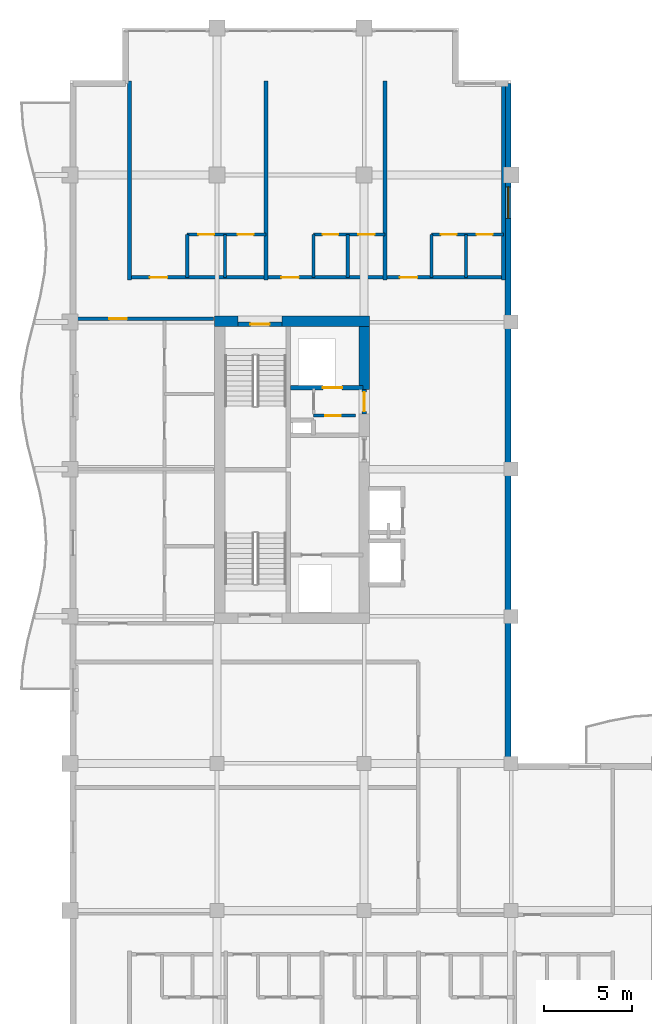
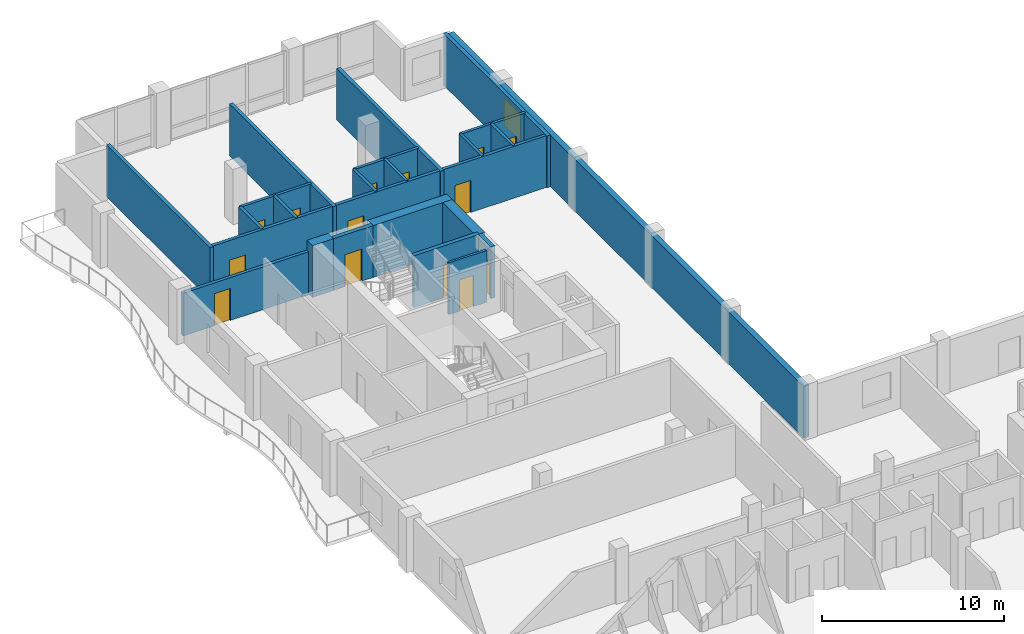
# One storey, part 10 of 15: 23 walls, 14 doors, 1 window, 15 openings.
"""IFC4 building model written with IfcOpenShell, lengths in metres."""

from ifc_helpers import new_model, si_unit, direction, frame, frame_2d, origin, place, context, subcontext, project, spatial, rectangle, extrude, material, layer, layer_set, type_object, element, fill, save


model = new_model("IFC4")

# Units and contexts
model_context = context("Model", 3, precision=1e-05, world=origin(), true_north=direction((0.0, 1.0)))
body_context = subcontext(model_context, "Body", "Model", "MODEL_VIEW")
ifc_project = project(units=[si_unit("LENGTHUNIT", "METRE"), si_unit("AREAUNIT", "SQUARE_METRE"), si_unit("VOLUMEUNIT", "CUBIC_METRE"), si_unit("PLANEANGLEUNIT", "RADIAN"), si_unit("MASSUNIT", "GRAM", prefix="KILO")], contexts=[model_context])

# Site, building, storey
site_placement = place(None, origin())
site = spatial("IfcSite", under=ifc_project, at=site_placement, CompositionType="ELEMENT")
building_placement = place(site_placement, origin())
building = spatial("IfcBuilding", under=site, at=building_placement, Name="Koriwani Terraces Tower", CompositionType="ELEMENT")
storey_placement = place(building_placement, frame((0.0, 0.0, 282.300048828125)))
storey = spatial("IfcBuildingStorey", under=building, at=storey_placement, Name="L70", CompositionType="ELEMENT", Elevation=282.300048828125)

# Walls
ifc_material_1 = material(Name="Concrete C60/75", Category="concrete")
ifc_layer_1 = layer(ifc_material_1, 0.60009765625, Name="Concrete C60/75")
ifc_layer_set_1 = layer_set([ifc_layer_1], Name="Concrete C60/75")
wall_type_1 = type_object("IfcWallType", Name="WALL_CORE_RC_600", PredefinedType="SHEAR", material=ifc_layer_set_1)
wall_1_placement = place(storey_placement, frame((16.64990234375, 58.85009765625, 0.0), z_axis=(0.0, 0.0, 1.0), x_axis=(1.0, 0.0, 0.0)))
element("IfcWall", 1, at=wall_1_placement, inside=storey, type_object=wall_type_1, Name="L70 West Split Core Shear Wall N1", PredefinedType="SHEAR", context=body_context, shape_type="SweptSolid", body=[
    extrude(rectangle(XDim=1.35009765625, YDim=0.60009765625, at=frame_2d((0.675048828125, 0.0))), origin(), (0.0, 0.0, 1.0), 3.469970703125),
])
wall_2_placement = place(storey_placement, frame((20.5, 58.85009765625, 0.0), z_axis=(0.0, 0.0, 1.0), x_axis=(1.0, 0.0, 0.0)))
element("IfcWall", 2, at=wall_2_placement, inside=storey, type_object=wall_type_1, Name="L70 West Split Core Shear Wall N2", PredefinedType="SHEAR", context=body_context, shape_type="SweptSolid", body=[
    extrude(rectangle(XDim=5.0, YDim=0.60009765625, at=frame_2d((2.5, 0.0))), origin(), (0.0, 0.0, 1.0), 3.469970703125),
])
wall_3_placement = place(storey_placement, frame((25.199951171875, 54.949951171875, 0.0), z_axis=(0.0, 0.0, 1.0), x_axis=(0.0, 1.0, 0.0)))
element("IfcWall", 3, at=wall_3_placement, inside=storey, type_object=wall_type_1, Name="L70 West Split Core Shear Wall E3", PredefinedType="SHEAR", context=body_context, shape_type="SweptSolid", body=[
    extrude(rectangle(XDim=3.60009765625, YDim=0.60009765625, at=frame_2d((1.800048828125, 0.0))), origin(), (0.0, 0.0, 1.0), 3.469970703125),
])

# Wall, opening, door
ifc_material_2 = material(Name="Autoclaved Cellular Concrete Blockwork", Category="masonry")
ifc_layer_2 = layer(ifc_material_2, 0.199951171875, Name="Autoclaved Cellular Concrete Blockwork")
ifc_layer_set_2 = layer_set([ifc_layer_2], Name="Autoclaved Cellular Concrete Blockwork")
wall_type_2 = type_object("IfcWallType", Name="WALL_CORRIDOR_200", PredefinedType="PARTITIONING", material=ifc_layer_set_2)
wall_4_placement = place(storey_placement, frame((8.64990234375, 59.0, 0.0), z_axis=(0.0, 0.0, 1.0), x_axis=(1.0, 0.0, 0.0)))
wall_4 = element("IfcWall", 4, at=wall_4_placement, inside=storey, type_object=wall_type_2, Name="L70 Interior Wall WRZ4-WN-L70", PredefinedType="PARTITIONING", context=body_context, shape_type="SweptSolid", body=[
    extrude(rectangle(XDim=7.9501953125, YDim=0.199951171875, at=frame_2d((3.97509765625, 0.0))), origin(), (0.0, 0.0, 1.0), 2.869873046875),
])
opening_1_placement = place(wall_4_placement, frame((2.0, 0.0, 0.0)))
opening_1 = element("IfcOpeningElement", 5, at=opening_1_placement, cuts=wall_4, Name="Opening D-05", PredefinedType="OPENING", context=body_context, shape_type="SweptSolid", body=[
    extrude(rectangle(XDim=1.0, YDim=2.14990234375, at=frame_2d((0.5, 1.074951171875))), frame((0.0, 0.10986328125, 0.0), z_axis=(0.0, -1.0, 0.0), x_axis=(1.0, 0.0, 0.0)), (0.0, 0.0, 1.0), 0.219970703125),
])
ifc_material_3 = material(Name="Architectural Oak Fire Door", Category="wood")
door_type_1 = type_object("IfcDoorType", Name="DOOR_SUITE_ENTRY_1000X2150", OperationType="NOTDEFINED", PredefinedType="DOOR", material=ifc_material_3)
door_1_placement = place(opening_1_placement, origin())
door_1 = element("IfcDoor", 6, at=door_1_placement, inside=storey, type_object=door_type_1, Name="Apartment 70RW2 Entrance Door", OperationType="SINGLE_SWING_RIGHT", OverallHeight=2.14990234375, OverallWidth=1.0, PredefinedType="DOOR", context=body_context, shape_type="SweptSolid", body=[
    extrude(rectangle(XDim=1.0, YDim=2.14990234375, at=frame_2d((0.5, 1.074951171875))), frame((0.0, 0.02490234375, 0.0), z_axis=(0.0, -1.0, 0.0), x_axis=(1.0, 0.0, 0.0)), (0.0, 0.0, 1.0), 0.050048828125),
])
fill(opening_1, door_1)

# Wall, openings, doors
wall_5_placement = place(storey_placement, frame((11.800048828125, 61.35009765625, 0.0), z_axis=(0.0, 0.0, 1.0), x_axis=(1.0, 0.0, 0.0)))
wall_5 = element("IfcWall", 7, at=wall_5_placement, inside=storey, type_object=wall_type_2, Name="L70 Interior Wall WRCOR-L70-NTS-0", PredefinedType="PARTITIONING", context=body_context, shape_type="SweptSolid", body=[
    extrude(rectangle(XDim=21.349853515625, YDim=0.199951171875, at=frame_2d((10.6748046875, 0.0))), origin(), (0.0, 0.0, 1.0), 3.469970703125),
])
opening_2_placement = place(wall_5_placement, frame((1.169921875, 0.0, 0.0)))
opening_2 = element("IfcOpeningElement", 8, at=opening_2_placement, cuts=wall_5, Name="Opening D-05", PredefinedType="OPENING", context=body_context, shape_type="SweptSolid", body=[
    extrude(rectangle(XDim=1.0, YDim=2.14990234375, at=frame_2d((0.5, 1.074951171875))), frame((0.0, 0.10986328125, 0.0), z_axis=(0.0, -1.0, 0.0), x_axis=(1.0, 0.0, 0.0)), (0.0, 0.0, 1.0), 0.219970703125),
])
opening_3_placement = place(wall_5_placement, frame((8.669921875, 0.0, 0.0)))
opening_3 = element("IfcOpeningElement", 9, at=opening_3_placement, cuts=wall_5, Name="Opening D-05", PredefinedType="OPENING", context=body_context, shape_type="SweptSolid", body=[
    extrude(rectangle(XDim=1.0, YDim=2.14990234375, at=frame_2d((0.5, 1.074951171875))), frame((0.0, 0.10986328125, 0.0), z_axis=(0.0, -1.0, 0.0), x_axis=(1.0, 0.0, 0.0)), (0.0, 0.0, 1.0), 0.219970703125),
])
opening_4_placement = place(wall_5_placement, frame((15.445068359375, 0.0, 0.0)))
opening_4 = element("IfcOpeningElement", 10, at=opening_4_placement, cuts=wall_5, Name="Opening D-05", PredefinedType="OPENING", context=body_context, shape_type="SweptSolid", body=[
    extrude(rectangle(XDim=1.0, YDim=2.14990234375, at=frame_2d((0.5, 1.074951171875))), frame((0.0, 0.10986328125, 0.0), z_axis=(0.0, -1.0, 0.0), x_axis=(1.0, 0.0, 0.0)), (0.0, 0.0, 1.0), 0.219970703125),
])
door_2_placement = place(opening_2_placement, origin())
door_2 = element("IfcDoor", 11, at=door_2_placement, inside=storey, type_object=door_type_1, Name="Apartment 70NTS1 Entrance Door", OperationType="SINGLE_SWING_RIGHT", OverallHeight=2.14990234375, OverallWidth=1.0, PredefinedType="DOOR", context=body_context, shape_type="SweptSolid", body=[
    extrude(rectangle(XDim=1.0, YDim=2.14990234375, at=frame_2d((0.5, 1.074951171875))), frame((0.0, 0.02490234375, 0.0), z_axis=(0.0, -1.0, 0.0), x_axis=(1.0, 0.0, 0.0)), (0.0, 0.0, 1.0), 0.050048828125),
])
fill(opening_2, door_2)
door_3_placement = place(opening_3_placement, origin())
door_3 = element("IfcDoor", 12, at=door_3_placement, inside=storey, type_object=door_type_1, Name="Apartment 70NTS2 Entrance Door", OperationType="SINGLE_SWING_LEFT", OverallHeight=2.14990234375, OverallWidth=1.0, PredefinedType="DOOR", context=body_context, shape_type="SweptSolid", body=[
    extrude(rectangle(XDim=1.0, YDim=2.14990234375, at=frame_2d((0.5, 1.074951171875))), frame((0.0, 0.02490234375, 0.0), z_axis=(0.0, -1.0, 0.0), x_axis=(1.0, 0.0, 0.0)), (0.0, 0.0, 1.0), 0.050048828125),
])
fill(opening_3, door_3)
door_4_placement = place(opening_4_placement, origin())
door_4 = element("IfcDoor", 13, at=door_4_placement, inside=storey, type_object=door_type_1, Name="Apartment 70NTS3 Entrance Door", OperationType="SINGLE_SWING_RIGHT", OverallHeight=2.14990234375, OverallWidth=1.0, PredefinedType="DOOR", context=body_context, shape_type="SweptSolid", body=[
    extrude(rectangle(XDim=1.0, YDim=2.14990234375, at=frame_2d((0.5, 1.074951171875))), frame((0.0, 0.02490234375, 0.0), z_axis=(0.0, -1.0, 0.0), x_axis=(1.0, 0.0, 0.0)), (0.0, 0.0, 1.0), 0.050048828125),
])
fill(opening_4, door_4)

# Walls
ifc_layer_3 = layer(ifc_material_2, 0.219970703125, Name="Autoclaved Cellular Concrete Blockwork")
ifc_layer_set_3 = layer_set([ifc_layer_3], Name="Autoclaved Cellular Concrete Blockwork")
wall_type_3 = type_object("IfcWallType", Name="WALL_DEMISING_220", PredefinedType="PARTITIONING", material=ifc_layer_set_3)
for number, where, z_axis, x_axis, name in (
    (14, (11.800048828125, 61.199951171875, 0.0), (0.0, 0.0, 1.0), (0.0, 1.0, 0.0), "L70 Interior Wall WRDEM-L70-NTS-0"),
    (15, (19.60009765625, 61.199951171875, 0.0), (0.0, 0.0, 1.0), (0.0, 1.0, 0.0), "L70 Interior Wall WRDEM-L70-NTS-1"),
    (16, (26.39990234375, 61.199951171875, 0.0), (0.0, 0.0, 1.0), (0.0, 1.0, 0.0), "L70 Interior Wall WRDEM-L70-NTS-2"),
    (17, (33.14990234375, 61.199951171875, 0.0), (0.0, 0.0, 1.0), (0.0, 1.0, 0.0), "L70 Interior Wall WRDEME-L70-NTS"),
):
    element("IfcWall", number, at=place(storey_placement, frame(where, z_axis=z_axis, x_axis=x_axis)), inside=storey, type_object=wall_type_3, Name=name, PredefinedType="PARTITIONING", context=body_context, shape_type="SweptSolid", body=[
        extrude(rectangle(XDim=11.380126953125, YDim=0.219970703125, at=frame_2d((5.68994140625, 0.0))), origin(), (0.0, 0.0, 1.0), 3.469970703125),
    ])

# Wall, opening, window
ifc_material_4 = material(Name="Concrete C50/60", Category="concrete")
ifc_layer_4 = layer(ifc_material_4, 0.35009765625, Name="Concrete C50/60")
ifc_layer_set_4 = layer_set([ifc_layer_4], Name="Concrete C50/60")
wall_type_4 = type_object("IfcWallType", Name="WALL_EXT_BRUTALIST_350", PredefinedType="STANDARD", material=ifc_layer_set_4)
wall_6_placement = place(storey_placement, frame((33.425048828125, 72.425048828125, 0.0), z_axis=(0.0, 0.0, 1.0), x_axis=(0.0, -1.0, 0.0)))
wall_6 = element("IfcWall", 18, at=wall_6_placement, inside=storey, type_object=wall_type_4, Name="L70 Fair-Faced Brutalist Exterior Wall (NW_IN)", PredefinedType="STANDARD", context=body_context, shape_type="SweptSolid", body=[
    extrude(rectangle(XDim=39.0, YDim=0.35009765625, at=frame_2d((19.5, 0.0))), origin(), (0.0, 0.0, 1.0), 3.469970703125),
])
opening_5_placement = place(wall_6_placement, frame((5.89990234375, 0.0, 0.85009765625)))
opening_5 = element("IfcOpeningElement", 19, at=opening_5_placement, cuts=wall_6, Name="Opening W-04", PredefinedType="OPENING", context=body_context, shape_type="SweptSolid", body=[
    extrude(rectangle(XDim=1.800048828125, YDim=1.800048828125, at=frame_2d((0.89990234375, 0.89990234375))), frame((0.0, 0.18505859375, 0.0), z_axis=(0.0, -1.0, 0.0), x_axis=(1.0, 0.0, 0.0)), (0.0, 0.0, 1.0), 0.3701171875),
])
ifc_material_5 = material(Name="Tempered Laminated Low-E Glass", Category="glass")
window_type = type_object("IfcWindowType", Name="WIN_RES_BED_1800X1800", PartitioningType="DOUBLE_PANEL_VERTICAL", PredefinedType="WINDOW", material=ifc_material_5)
window_placement = place(opening_5_placement, origin())
window = element("IfcWindow", 20, at=window_placement, inside=storey, type_object=window_type, Name="L70 Exterior Window (NW_IN-R57)", OverallHeight=1.800048828125, OverallWidth=1.800048828125, PartitioningType="SINGLE_PANEL", PredefinedType="WINDOW", context=body_context, shape_type="SweptSolid", body=[
    extrude(rectangle(XDim=1.800048828125, YDim=1.800048828125, at=frame_2d((0.89990234375, 0.89990234375))), frame((0.0, 0.030029296875, 0.0), z_axis=(0.0, -1.0, 0.0), x_axis=(1.0, 0.0, 0.0)), (0.0, 0.0, 1.0), 0.06005859375),
])
fill(opening_5, window)

# Wall, openings, doors
ifc_material_6 = material(Name="Fire-Rated Acoustic Gypsum Partition", Category="masonry")
ifc_layer_5 = layer(ifc_material_6, 0.179931640625, Name="Fire-Rated Acoustic Gypsum Partition")
ifc_layer_set_5 = layer_set([ifc_layer_5], Name="Fire-Rated Acoustic Gypsum Partition")
wall_type_5 = type_object("IfcWallType", Name="WALL_PLUMBING_180", PredefinedType="PLUMBINGWALL", material=ifc_layer_set_5)
wall_7_placement = place(storey_placement, frame((15.10009765625, 63.800048828125, 0.0), z_axis=(0.0, 0.0, 1.0), x_axis=(1.0, 0.0, 0.0)))
wall_7 = element("IfcWall", 21, at=wall_7_placement, inside=storey, type_object=wall_type_5, Name="L70 Interior Wall WRSVC-L70-NTS-0", PredefinedType="PLUMBINGWALL", context=body_context, shape_type="SweptSolid", body=[
    extrude(rectangle(XDim=4.5, YDim=0.179931640625, at=frame_2d((2.25, 0.0))), origin(), (0.0, 0.0, 1.0), 3.469970703125),
])
opening_6_placement = place(wall_7_placement, frame((0.6298828125, 0.0, 0.0)))
opening_6 = element("IfcOpeningElement", 22, at=opening_6_placement, cuts=wall_7, Name="Opening D-07", PredefinedType="OPENING", context=body_context, shape_type="SweptSolid", body=[
    extrude(rectangle(XDim=0.89990234375, YDim=2.10009765625, at=frame_2d((0.449951171875, 1.050048828125))), frame((0.0, 0.10009765625, 0.0), z_axis=(0.0, -1.0, 0.0), x_axis=(1.0, 0.0, 0.0)), (0.0, 0.0, 1.0), 0.199951171875),
])
opening_7_placement = place(wall_7_placement, frame((2.8701171875, 0.0, 0.0)))
opening_7 = element("IfcOpeningElement", 23, at=opening_7_placement, cuts=wall_7, Name="Opening D-06", PredefinedType="OPENING", context=body_context, shape_type="SweptSolid", body=[
    extrude(rectangle(XDim=0.919921875, YDim=2.10009765625, at=frame_2d((0.4599609375, 1.050048828125))), frame((0.0, 0.10009765625, 0.0), z_axis=(0.0, -1.0, 0.0), x_axis=(1.0, 0.0, 0.0)), (0.0, 0.0, 1.0), 0.199951171875),
])
door_type_2 = type_object("IfcDoorType", Name="DOOR_BATH_INT_900X2100", OperationType="NOTDEFINED", PredefinedType="DOOR", material=ifc_material_3)
door_5_placement = place(opening_6_placement, origin())
door_5 = element("IfcDoor", 24, at=door_5_placement, inside=storey, type_object=door_type_2, Name="Apartment 70NTS1 Bathroom Door", OperationType="SINGLE_SWING_LEFT", OverallHeight=2.10009765625, OverallWidth=0.89990234375, PredefinedType="DOOR", context=body_context, shape_type="SweptSolid", body=[
    extrude(rectangle(XDim=0.89990234375, YDim=2.10009765625, at=frame_2d((0.449951171875, 1.050048828125))), frame((0.0, 0.02490234375, 0.0), z_axis=(0.0, -1.0, 0.0), x_axis=(1.0, 0.0, 0.0)), (0.0, 0.0, 1.0), 0.050048828125),
])
fill(opening_6, door_5)
door_type_3 = type_object("IfcDoorType", Name="DOOR_ROOM_INT_920X2100", OperationType="NOTDEFINED", PredefinedType="DOOR", material=ifc_material_3)
door_6_placement = place(opening_7_placement, origin())
door_6 = element("IfcDoor", 25, at=door_6_placement, inside=storey, type_object=door_type_3, Name="Apartment 70NTS1 Kitchen Door", OperationType="SINGLE_SWING_RIGHT", OverallHeight=2.10009765625, OverallWidth=0.919921875, PredefinedType="DOOR", context=body_context, shape_type="SweptSolid", body=[
    extrude(rectangle(XDim=0.919921875, YDim=2.10009765625, at=frame_2d((0.4599609375, 1.050048828125))), frame((0.0, 0.02490234375, 0.0), z_axis=(0.0, -1.0, 0.0), x_axis=(1.0, 0.0, 0.0)), (0.0, 0.0, 1.0), 0.050048828125),
])
fill(opening_7, door_6)

# Walls
for number, where, z_axis, x_axis, name in (
    (26, (15.10009765625, 61.35009765625, 0.0), (0.0, 0.0, 1.0), (0.0, 1.0, 0.0), "L70 Interior Wall WRSVCS-L70-NTS-0"),
    (27, (17.260009765625, 61.35009765625, 0.0), (0.0, 0.0, 1.0), (0.0, 1.0, 0.0), "L70 Interior Wall WRSVCM-L70-NTS-0"),
):
    element("IfcWall", number, at=place(storey_placement, frame(where, z_axis=z_axis, x_axis=x_axis)), inside=storey, type_object=wall_type_5, Name=name, PredefinedType="PLUMBINGWALL", context=body_context, shape_type="SweptSolid", body=[
        extrude(rectangle(XDim=2.449951171875, YDim=0.179931640625, at=frame_2d((1.22509765625, 0.0))), origin(), (0.0, 0.0, 1.0), 3.469970703125),
    ])

# Wall, openings, doors
wall_8_placement = place(storey_placement, frame((22.300048828125, 63.800048828125, 0.0), z_axis=(0.0, 0.0, 1.0), x_axis=(1.0, 0.0, 0.0)))
wall_8 = element("IfcWall", 28, at=wall_8_placement, inside=storey, type_object=wall_type_5, Name="L70 Interior Wall WRSVC-L70-NTS-1", PredefinedType="PLUMBINGWALL", context=body_context, shape_type="SweptSolid", body=[
    extrude(rectangle(XDim=4.099853515625, YDim=0.179931640625, at=frame_2d((2.0498046875, 0.0))), origin(), (0.0, 0.0, 1.0), 3.469970703125),
])
opening_8_placement = place(wall_8_placement, frame((0.533935546875, 0.0, 0.0)))
opening_8 = element("IfcOpeningElement", 29, at=opening_8_placement, cuts=wall_8, Name="Opening D-07", PredefinedType="OPENING", context=body_context, shape_type="SweptSolid", body=[
    extrude(rectangle(XDim=0.89990234375, YDim=2.10009765625, at=frame_2d((0.449951171875, 1.050048828125))), frame((0.0, 0.10009765625, 0.0), z_axis=(0.0, -1.0, 0.0), x_axis=(1.0, 0.0, 0.0)), (0.0, 0.0, 1.0), 0.199951171875),
])
opening_9_placement = place(wall_8_placement, frame((2.573974609375, 0.0, 0.0)))
opening_9 = element("IfcOpeningElement", 30, at=opening_9_placement, cuts=wall_8, Name="Opening D-06", PredefinedType="OPENING", context=body_context, shape_type="SweptSolid", body=[
    extrude(rectangle(XDim=0.919921875, YDim=2.10009765625, at=frame_2d((0.4599609375, 1.050048828125))), frame((0.0, 0.10009765625, 0.0), z_axis=(0.0, -1.0, 0.0), x_axis=(1.0, 0.0, 0.0)), (0.0, 0.0, 1.0), 0.199951171875),
])
door_7_placement = place(opening_8_placement, origin())
door_7 = element("IfcDoor", 31, at=door_7_placement, inside=storey, type_object=door_type_2, Name="Apartment 70NTS2 Bathroom Door", OperationType="SINGLE_SWING_RIGHT", OverallHeight=2.10009765625, OverallWidth=0.89990234375, PredefinedType="DOOR", context=body_context, shape_type="SweptSolid", body=[
    extrude(rectangle(XDim=0.89990234375, YDim=2.10009765625, at=frame_2d((0.449951171875, 1.050048828125))), frame((0.0, 0.02490234375, 0.0), z_axis=(0.0, -1.0, 0.0), x_axis=(1.0, 0.0, 0.0)), (0.0, 0.0, 1.0), 0.050048828125),
])
fill(opening_8, door_7)
door_8_placement = place(opening_9_placement, origin())
door_8 = element("IfcDoor", 32, at=door_8_placement, inside=storey, type_object=door_type_3, Name="Apartment 70NTS2 Kitchen Door", OperationType="SINGLE_SWING_LEFT", OverallHeight=2.10009765625, OverallWidth=0.919921875, PredefinedType="DOOR", context=body_context, shape_type="SweptSolid", body=[
    extrude(rectangle(XDim=0.919921875, YDim=2.10009765625, at=frame_2d((0.4599609375, 1.050048828125))), frame((0.0, 0.02490234375, 0.0), z_axis=(0.0, -1.0, 0.0), x_axis=(1.0, 0.0, 0.0)), (0.0, 0.0, 1.0), 0.050048828125),
])
fill(opening_9, door_8)

# Walls
for number, where, z_axis, x_axis, name in (
    (33, (22.300048828125, 61.35009765625, 0.0), (0.0, 0.0, 1.0), (0.0, 1.0, 0.0), "L70 Interior Wall WRSVCS-L70-NTS-1"),
    (34, (24.26806640625, 61.35009765625, 0.0), (0.0, 0.0, 1.0), (0.0, 1.0, 0.0), "L70 Interior Wall WRSVCM-L70-NTS-1"),
):
    element("IfcWall", number, at=place(storey_placement, frame(where, z_axis=z_axis, x_axis=x_axis)), inside=storey, type_object=wall_type_5, Name=name, PredefinedType="PLUMBINGWALL", context=body_context, shape_type="SweptSolid", body=[
        extrude(rectangle(XDim=2.449951171875, YDim=0.179931640625, at=frame_2d((1.22509765625, 0.0))), origin(), (0.0, 0.0, 1.0), 3.469970703125),
    ])

# Wall, openings, doors
wall_9_placement = place(storey_placement, frame((29.050048828125, 63.800048828125, 0.0), z_axis=(0.0, 0.0, 1.0), x_axis=(1.0, 0.0, 0.0)))
wall_9 = element("IfcWall", 35, at=wall_9_placement, inside=storey, type_object=wall_type_5, Name="L70 Interior Wall WRSVC-L70-NTS-2", PredefinedType="PLUMBINGWALL", context=body_context, shape_type="SweptSolid", body=[
    extrude(rectangle(XDim=4.099853515625, YDim=0.179931640625, at=frame_2d((2.0498046875, 0.0))), origin(), (0.0, 0.0, 1.0), 3.469970703125),
])
opening_10_placement = place(wall_9_placement, frame((0.533935546875, 0.0, 0.0)))
opening_10 = element("IfcOpeningElement", 36, at=opening_10_placement, cuts=wall_9, Name="Opening D-07", PredefinedType="OPENING", context=body_context, shape_type="SweptSolid", body=[
    extrude(rectangle(XDim=0.89990234375, YDim=2.10009765625, at=frame_2d((0.449951171875, 1.050048828125))), frame((0.0, 0.10009765625, 0.0), z_axis=(0.0, -1.0, 0.0), x_axis=(1.0, 0.0, 0.0)), (0.0, 0.0, 1.0), 0.199951171875),
])
opening_11_placement = place(wall_9_placement, frame((2.573974609375, 0.0, 0.0)))
opening_11 = element("IfcOpeningElement", 37, at=opening_11_placement, cuts=wall_9, Name="Opening D-06", PredefinedType="OPENING", context=body_context, shape_type="SweptSolid", body=[
    extrude(rectangle(XDim=0.919921875, YDim=2.10009765625, at=frame_2d((0.4599609375, 1.050048828125))), frame((0.0, 0.10009765625, 0.0), z_axis=(0.0, -1.0, 0.0), x_axis=(1.0, 0.0, 0.0)), (0.0, 0.0, 1.0), 0.199951171875),
])
door_9_placement = place(opening_10_placement, origin())
door_9 = element("IfcDoor", 38, at=door_9_placement, inside=storey, type_object=door_type_2, Name="Apartment 70NTS3 Bathroom Door", OperationType="SINGLE_SWING_LEFT", OverallHeight=2.10009765625, OverallWidth=0.89990234375, PredefinedType="DOOR", context=body_context, shape_type="SweptSolid", body=[
    extrude(rectangle(XDim=0.89990234375, YDim=2.10009765625, at=frame_2d((0.449951171875, 1.050048828125))), frame((0.0, 0.02490234375, 0.0), z_axis=(0.0, -1.0, 0.0), x_axis=(1.0, 0.0, 0.0)), (0.0, 0.0, 1.0), 0.050048828125),
])
fill(opening_10, door_9)
door_10_placement = place(opening_11_placement, origin())
door_10 = element("IfcDoor", 39, at=door_10_placement, inside=storey, type_object=door_type_3, Name="Apartment 70NTS3 Kitchen Door", OperationType="SINGLE_SWING_RIGHT", OverallHeight=2.10009765625, OverallWidth=0.919921875, PredefinedType="DOOR", context=body_context, shape_type="SweptSolid", body=[
    extrude(rectangle(XDim=0.919921875, YDim=2.10009765625, at=frame_2d((0.4599609375, 1.050048828125))), frame((0.0, 0.02490234375, 0.0), z_axis=(0.0, -1.0, 0.0), x_axis=(1.0, 0.0, 0.0)), (0.0, 0.0, 1.0), 0.050048828125),
])
fill(opening_11, door_10)

# Walls
for number, where, z_axis, x_axis, name in (
    (40, (29.050048828125, 61.35009765625, 0.0), (0.0, 0.0, 1.0), (0.0, 1.0, 0.0), "L70 Interior Wall WRSVCS-L70-NTS-2"),
    (41, (31.01806640625, 61.35009765625, 0.0), (0.0, 0.0, 1.0), (0.0, 1.0, 0.0), "L70 Interior Wall WRSVCM-L70-NTS-2"),
):
    element("IfcWall", number, at=place(storey_placement, frame(where, z_axis=z_axis, x_axis=x_axis)), inside=storey, type_object=wall_type_5, Name=name, PredefinedType="PLUMBINGWALL", context=body_context, shape_type="SweptSolid", body=[
        extrude(rectangle(XDim=2.449951171875, YDim=0.179931640625, at=frame_2d((1.22509765625, 0.0))), origin(), (0.0, 0.0, 1.0), 3.469970703125),
    ])

# Wall, opening, door
ifc_material_7 = material(Name="Concrete C40/50", Category="concrete")
ifc_layer_6 = layer(ifc_material_7, 0.25, Name="Concrete C40/50")
ifc_layer_set_6 = layer_set([ifc_layer_6], Name="Concrete C40/50")
wall_type_6 = type_object("IfcWallType", Name="WALL_SHAFT_RATED_250", PredefinedType="SOLIDWALL", material=ifc_layer_set_6)
wall_10_placement = place(storey_placement, frame((18.0, 58.675048828125, 0.0), z_axis=(0.0, 0.0, 1.0), x_axis=(1.0, 0.0, 0.0)))
wall_10 = element("IfcWall", 42, at=wall_10_placement, inside=storey, type_object=wall_type_6, Name="L70 Interior Wall WIN-CW-L70-STN", PredefinedType="SOLIDWALL", context=body_context, shape_type="SweptSolid", body=[
    extrude(rectangle(XDim=2.5, YDim=0.25, at=frame_2d((1.25, 0.0))), origin(), (0.0, 0.0, 1.0), 3.469970703125),
])
opening_12_placement = place(wall_10_placement, frame((0.699951171875, 0.0, 0.0)))
opening_12 = element("IfcOpeningElement", 43, at=opening_12_placement, cuts=wall_10, Name="Opening D-03", PredefinedType="OPENING", context=body_context, shape_type="SweptSolid", body=[
    extrude(rectangle(XDim=1.10009765625, YDim=2.14990234375, at=frame_2d((0.550048828125, 1.074951171875))), frame((0.0, 0.135009765625, 0.0), z_axis=(0.0, -1.0, 0.0), x_axis=(1.0, 0.0, 0.0)), (0.0, 0.0, 1.0), 0.27001953125),
])
ifc_material_8 = material(Name="Steel ASTM A572 Grade 50", Category="steel")
door_type_4 = type_object("IfcDoorType", Name="DOOR_STAIR_FIRE_1100X2150", OperationType="NOTDEFINED", PredefinedType="DOOR", material=ifc_material_8)
door_11_placement = place(opening_12_placement, origin())
door_11 = element("IfcDoor", 44, at=door_11_placement, inside=storey, type_object=door_type_4, Name="L70 Exit Stair ST-W2 Door", OperationType="SINGLE_SWING_LEFT", OverallHeight=2.14990234375, OverallWidth=1.10009765625, PredefinedType="DOOR", context=body_context, shape_type="SweptSolid", body=[
    extrude(rectangle(XDim=1.10009765625, YDim=2.14990234375, at=frame_2d((0.550048828125, 1.074951171875))), frame((0.0, 0.02490234375, 0.0), z_axis=(0.0, -1.0, 0.0), x_axis=(1.0, 0.0, 0.0)), (0.0, 0.0, 1.0), 0.050048828125),
])
fill(opening_12, door_11)

wall_11_placement = place(storey_placement, frame((21.0, 55.050048828125, 0.0), z_axis=(0.0, 0.0, 1.0), x_axis=(1.0, 0.0, 0.0)))
wall_11 = element("IfcWall", 45, at=wall_11_placement, inside=storey, type_object=wall_type_6, Name="L70 Interior Wall WIN-CW-L70-SE", PredefinedType="SOLIDWALL", context=body_context, shape_type="SweptSolid", body=[
    extrude(rectangle(XDim=4.14990234375, YDim=0.25, at=frame_2d((2.074951171875, 0.0))), origin(), (0.0, 0.0, 1.0), 3.469970703125),
])
opening_13_placement = place(wall_11_placement, frame((1.85009765625, 0.0, 0.0)))
opening_13 = element("IfcOpeningElement", 46, at=opening_13_placement, cuts=wall_11, Name="Opening LD-01", PredefinedType="OPENING", context=body_context, shape_type="SweptSolid", body=[
    extrude(rectangle(XDim=1.10009765625, YDim=2.14990234375, at=frame_2d((0.550048828125, 1.074951171875))), frame((0.0, 0.135009765625, 0.0), z_axis=(0.0, -1.0, 0.0), x_axis=(1.0, 0.0, 0.0)), (0.0, 0.0, 1.0), 0.27001953125),
])
door_type_5 = type_object("IfcDoorType", Name="DOOR_LIFT_LANDING_1100X2200", OperationType="NOTDEFINED", PredefinedType="DOOR", material=ifc_material_8)
door_12_placement = place(opening_13_placement, origin())
door_12 = element("IfcDoor", 47, at=door_12_placement, inside=storey, type_object=door_type_5, Name="L70 Goods Lift SE-01 Landing Door", OperationType="SLIDING_TO_LEFT", OverallHeight=2.14990234375, OverallWidth=1.10009765625, PredefinedType="DOOR", context=body_context, shape_type="SweptSolid", body=[
    extrude(rectangle(XDim=1.10009765625, YDim=2.14990234375, at=frame_2d((0.550048828125, 1.074951171875))), frame((0.0, 0.02490234375, 0.0), z_axis=(0.0, -1.0, 0.0), x_axis=(1.0, 0.0, 0.0)), (0.0, 0.0, 1.0), 0.050048828125),
])
fill(opening_13, door_12)

wall_12_placement = place(storey_placement, frame((25.199951171875, 53.550048828125, 0.0), z_axis=(0.0, 0.0, 1.0), x_axis=(0.0, 1.0, 0.0)))
wall_12 = element("IfcWall", 48, at=wall_12_placement, inside=storey, type_object=wall_type_6, Name="L70 Interior Wall WIN-CW-L70-EP2", PredefinedType="SOLIDWALL", context=body_context, shape_type="SweptSolid", body=[
    extrude(rectangle(XDim=1.39990234375, YDim=0.25, at=frame_2d((0.699951171875, 0.0))), origin(), (0.0, 0.0, 1.0), 3.469970703125),
])
opening_14_placement = place(wall_12_placement, frame((0.14990234375, 0.0, 0.0)))
opening_14 = element("IfcOpeningElement", 49, at=opening_14_placement, cuts=wall_12, Name="Opening D-03", PredefinedType="OPENING", context=body_context, shape_type="SweptSolid", body=[
    extrude(rectangle(XDim=1.10009765625, YDim=2.14990234375, at=frame_2d((0.550048828125, 1.074951171875))), frame((0.0, 0.135009765625, 0.0), z_axis=(0.0, -1.0, 0.0), x_axis=(1.0, 0.0, 0.0)), (0.0, 0.0, 1.0), 0.27001953125),
])
door_13_placement = place(opening_14_placement, origin())
door_13 = element("IfcDoor", 50, at=door_13_placement, inside=storey, type_object=door_type_4, Name="L70 West Goods Lift Lobby Door", OperationType="SINGLE_SWING_LEFT", OverallHeight=2.14990234375, OverallWidth=1.10009765625, PredefinedType="DOOR", context=body_context, shape_type="SweptSolid", body=[
    extrude(rectangle(XDim=1.10009765625, YDim=2.14990234375, at=frame_2d((0.550048828125, 1.074951171875))), frame((0.0, 0.02490234375, 0.0), z_axis=(0.0, -1.0, 0.0), x_axis=(1.0, 0.0, 0.0)), (0.0, 0.0, 1.0), 0.050048828125),
])
fill(opening_14, door_13)

ifc_layer_7 = layer(ifc_material_6, 0.159912109375, Name="Fire-Rated Acoustic Gypsum Partition")
ifc_layer_set_7 = layer_set([ifc_layer_7], Name="Fire-Rated Acoustic Gypsum Partition")
wall_type_7 = type_object("IfcWallType", Name="WALL_SUITE_160", PredefinedType="PARTITIONING", material=ifc_layer_set_7)
wall_13_placement = place(storey_placement, frame((22.320068359375, 53.4599609375, 0.0), z_axis=(0.0, 0.0, 1.0), x_axis=(1.0, 0.0, 0.0)))
wall_13 = element("IfcWall", 51, at=wall_13_placement, inside=storey, type_object=wall_type_7, Name="L70 Interior Wall WIN-CW-L70-SV1B", PredefinedType="PARTITIONING", context=body_context, shape_type="SweptSolid", body=[
    extrude(rectangle(XDim=2.39990234375, YDim=0.159912109375, at=frame_2d((1.199951171875, 0.0))), origin(), (0.0, 0.0, 1.0), 3.469970703125),
])
opening_15_placement = place(wall_13_placement, frame((0.64990234375, 0.0, 0.0)))
opening_15 = element("IfcOpeningElement", 52, at=opening_15_placement, cuts=wall_13, Name="Opening D-07", PredefinedType="OPENING", context=body_context, shape_type="SweptSolid", body=[
    extrude(rectangle(XDim=0.89990234375, YDim=2.10009765625, at=frame_2d((0.449951171875, 1.050048828125))), frame((0.0, 0.08984375, 0.0), z_axis=(0.0, -1.0, 0.0), x_axis=(1.0, 0.0, 0.0)), (0.0, 0.0, 1.0), 0.179931640625),
])
door_14_placement = place(opening_15_placement, origin())
door_14 = element("IfcDoor", 53, at=door_14_placement, inside=storey, type_object=door_type_2, Name="L70 West Cleaners Closet Door", OperationType="SINGLE_SWING_LEFT", OverallHeight=2.10009765625, OverallWidth=0.89990234375, PredefinedType="DOOR", context=body_context, shape_type="SweptSolid", body=[
    extrude(rectangle(XDim=0.89990234375, YDim=2.10009765625, at=frame_2d((0.449951171875, 1.050048828125))), frame((0.0, 0.02490234375, 0.0), z_axis=(0.0, -1.0, 0.0), x_axis=(1.0, 0.0, 0.0)), (0.0, 0.0, 1.0), 0.050048828125),
])
fill(opening_15, door_14)

save(model, "model.ifc")
